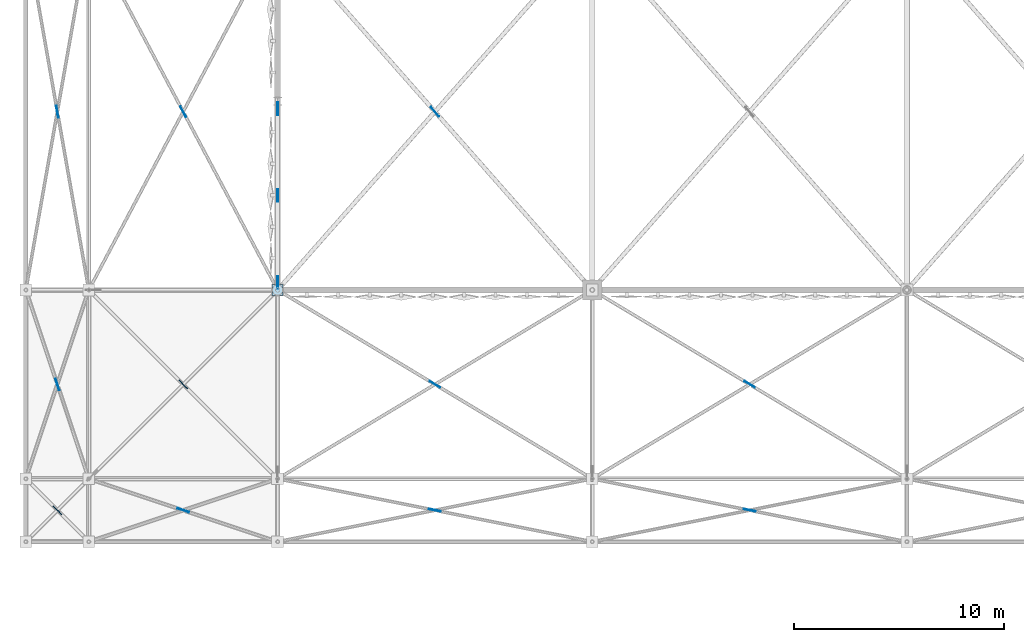
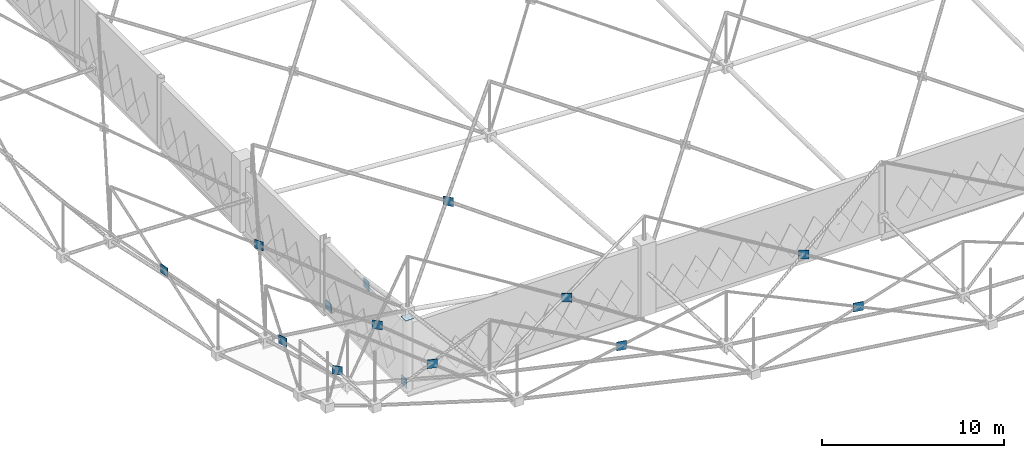
# One storey, part 176 of 224: 15 plates.
"""IFC4 building model written with IfcOpenShell, lengths in metres."""

import ifcopenshell
import ifcopenshell.guid

model = None  # the IFC model being written
_history = None  # IfcOwnerHistory: only IFC2X3 demands one
_inside = {}  # id of a spatial element -> (the spatial element, [elements in it])
_under = {}  # id of a project, library or spatial element -> (it, [spatial elements below it])
_declared = {}  # id of a project -> (the project, [libraries it declares])
_typed = {}  # id of a type object -> (the type object, [elements of that type])
_made_of = {}  # id of a material, layer set ... -> (it, [elements and type objects made of it])


def new_model(schema):
    """Start an empty IFC model of exactly this schema.

    Asked for "IFC4X3", IfcOpenShell would pick the latest addendum, in which some entities
    have other attributes; the version numbers below select the first issue.
    IFC2X3 requires an IfcOwnerHistory on every rooted entity: one is made here for all.
    """
    global model, _history
    if schema == "IFC4X3":
        model = ifcopenshell.file(schema_version=(4, 3, 0, 0))
    else:
        model = ifcopenshell.file(schema=schema)
    _inside.clear()
    _under.clear()
    _declared.clear()
    _typed.clear()
    _made_of.clear()
    _history = None
    if model.schema == "IFC2X3":
        org = make("IfcOrganization", Name="unknown")
        user = make(
            "IfcPersonAndOrganization",
            ThePerson=make("IfcPerson", FamilyName="unknown"),
            TheOrganization=org,
        )
        app = make(
            "IfcApplication",
            ApplicationDeveloper=org,
            Version="unknown",
            ApplicationFullName="unknown",
            ApplicationIdentifier="unknown",
        )
        _history = make(
            "IfcOwnerHistory",
            OwningUser=user,
            OwningApplication=app,
            ChangeAction="ADDED",
            CreationDate=0,
        )
    return model


def make(cls, **values):
    """One entity of the class cls with the attributes given. An attribute that is None is left unset."""
    return model.create_entity(
        cls, **{name: value for name, value in values.items() if value is not None}
    )


def rooted(cls, **values):
    """An entity with a GlobalId (a new one), such as an element, a storey or a relation."""
    return make(cls, GlobalId=ifcopenshell.guid.new(), OwnerHistory=_history, **values)


def si_unit(unit_type, name, prefix=None):
    """IfcSIUnit, for example si_unit("LENGTHUNIT", "METRE", prefix="MILLI")."""
    return make("IfcSIUnit", UnitType=unit_type, Prefix=prefix, Name=name)


def assignment(units):
    """IfcUnitAssignment: the units of a project."""
    return None if units is None else make("IfcUnitAssignment", Units=units)


def point(xyz):
    """IfcCartesianPoint."""
    return None if xyz is None else make("IfcCartesianPoint", Coordinates=xyz)


def direction(xyz):
    """IfcDirection."""
    return None if xyz is None else make("IfcDirection", DirectionRatios=xyz)


def frame(location, z_axis=None, x_axis=None):
    """IfcAxis2Placement3D, a coordinate frame: its origin and axes. An axis left out is left unset."""
    return make(
        "IfcAxis2Placement3D",
        Location=point(location),
        Axis=direction(z_axis),
        RefDirection=direction(x_axis),
    )


def frame_2d(location, x_axis=None):
    """IfcAxis2Placement2D, a coordinate frame in the plane: its origin and x axis."""
    return make(
        "IfcAxis2Placement2D", Location=point(location), RefDirection=direction(x_axis)
    )


def origin():
    """The frame at (0, 0, 0) with its axes left unset."""
    return frame((0.0, 0.0, 0.0))


def origin_2d():
    """The frame at (0, 0) in the plane with its x axis left unset."""
    return frame_2d((0.0, 0.0))


def place(relative_to, where):
    """IfcLocalPlacement: puts the frame where relative to a parent placement (None: the world)."""
    return make(
        "IfcLocalPlacement", PlacementRelTo=relative_to, RelativePlacement=where
    )


def context(
    kind, dimensions, precision=None, world=None, true_north=None, identifier=None
):
    """IfcGeometricRepresentationContext, for example the 3D "Model" context."""
    return make(
        "IfcGeometricRepresentationContext",
        ContextIdentifier=identifier,
        ContextType=kind,
        CoordinateSpaceDimension=dimensions,
        Precision=precision,
        WorldCoordinateSystem=world,
        TrueNorth=true_north,
    )


def subcontext(parent, identifier, kind, view, scale=None):
    """IfcGeometricRepresentationSubContext, for example "Body" below "Model"."""
    return make(
        "IfcGeometricRepresentationSubContext",
        ContextIdentifier=identifier,
        ContextType=kind,
        ParentContext=parent,
        TargetScale=scale,
        TargetView=view,
    )


def project(units=None, contexts=None):
    """IfcProject with its units and contexts."""
    return rooted(
        "IfcProject",
        Name="project",
        RepresentationContexts=contexts,
        UnitsInContext=assignment(units),
    )


def spatial(cls, under=None, at=None, **own):
    """A site, building, storey or space (cls), placed at a placement, below another one or the project."""
    s = rooted(cls, ObjectPlacement=at, **own)
    if under is not None:
        _under.setdefault(under.id(), (under, []))[1].append(s)
    return s


def profile(cls, at=None, kind="AREA", **sizes):
    """A parametric profile (cls). Its sizes go by their IFC names, for example OverallWidth=200.0."""
    return make(cls, ProfileType=kind, Position=at, **sizes)


def rectangle(**sizes):
    """IfcRectangleProfileDef."""
    return profile("IfcRectangleProfileDef", **sizes)


def extrude(swept, where, along, depth):
    """IfcExtrudedAreaSolid: the profile swept, set in the frame where, extruded along a direction by depth."""
    return make(
        "IfcExtrudedAreaSolid",
        SweptArea=swept,
        Position=where,
        ExtrudedDirection=direction(along),
        Depth=depth,
    )


def shape(context_of_items, identifier, shape_type, items):
    """IfcShapeRepresentation: the items that make up one representation, for example the "Body"."""
    return make(
        "IfcShapeRepresentation",
        ContextOfItems=context_of_items,
        RepresentationIdentifier=identifier,
        RepresentationType=shape_type,
        Items=items,
    )


def material(Name=None, Category=None):
    """IfcMaterial."""
    return make("IfcMaterial", Name=Name, Category=Category)


def layer(
    of_material, thickness, ventilated=None, Name=None, Category=None, Priority=None
):
    """IfcMaterialLayer: one layer of a wall or slab, of a material (None: an air gap)."""
    return make(
        "IfcMaterialLayer",
        Material=of_material,
        LayerThickness=thickness,
        IsVentilated=ventilated,
        Name=Name,
        Category=Category,
        Priority=Priority,
    )


def layer_set(layers, Name=None):
    """IfcMaterialLayerSet."""
    return make("IfcMaterialLayerSet", MaterialLayers=layers, LayerSetName=Name)


def made_of(thing, what):
    """Note that an element or type object is made of a material, layer set ...; save() writes the relation."""
    if what is not None:
        _made_of.setdefault(what.id(), (what, []))[1].append(thing)
    return thing


def type_object(cls, material=None, **own):
    """A type object (cls), such as IfcWallType, which elements share."""
    return made_of(rooted(cls, **own), material)


def element(
    cls,
    number,
    at=None,
    inside=None,
    cuts=None,
    type_object=None,
    material=None,
    context=None,
    identifier="Body",
    shape_type=None,
    held_by="IfcProductDefinitionShape",
    body=None,
    shapes=None,
    **own,
):
    """One element of the class cls, such as IfcWall. Its Tag is "e" and its number.

    at: its placement. inside: the storey or other place that contains it. cuts: it is an
    opening in that element (IfcRelVoidsElement). A single representation is given by context,
    identifier, shape_type and body (its items); several are given by shapes. held_by: the class
    of the entity that holds the representations. save() writes the other relations.
    """
    e = rooted(cls, Tag="e%d" % number, ObjectPlacement=at, **own)
    if body is not None:
        shapes = [shape(context, identifier, shape_type, body)]
    if shapes is not None:
        e.Representation = make(held_by, Representations=shapes)
    if inside is not None:
        _inside.setdefault(inside.id(), (inside, []))[1].append(e)
    if cuts is not None:
        rooted(
            "IfcRelVoidsElement", RelatingBuildingElement=cuts, RelatedOpeningElement=e
        )
    if type_object is not None:
        _typed.setdefault(type_object.id(), (type_object, []))[1].append(e)
    return made_of(e, material)


def aggregate(whole, parts):
    """IfcRelAggregates: a whole, such as a stair, and the parts it consists of."""
    return rooted("IfcRelAggregates", RelatingObject=whole, RelatedObjects=parts)


def save(model, path):
    """Write the relations noted so far, then the file.

    IfcRelAggregates (storeys below a building ...), IfcRelContainedInSpatialStructure (elements
    in a storey), IfcRelDefinesByType, IfcRelAssociatesMaterial and IfcRelDeclares: one each for
    every whole, place, type object, material and project.
    """
    for whole, parts in _under.values():
        aggregate(whole, parts)
    for where, things in _inside.values():
        rooted(
            "IfcRelContainedInSpatialStructure",
            RelatedElements=things,
            RelatingStructure=where,
        )
    for kind, things in _typed.values():
        rooted("IfcRelDefinesByType", RelatedObjects=things, RelatingType=kind)
    for what, things in _made_of.values():
        rooted("IfcRelAssociatesMaterial", RelatedObjects=things, RelatingMaterial=what)
    for by, libraries in _declared.values():
        rooted("IfcRelDeclares", RelatingContext=by, RelatedDefinitions=libraries)
    model.write(path)


model = new_model("IFC4")

# Units and contexts
model_context = context("Model", 3, precision=1e-05, world=origin(), true_north=direction((0.0, 1.0)))
body_context = subcontext(model_context, "Body", "Model", "MODEL_VIEW")
ifc_project = project(units=[si_unit("LENGTHUNIT", "METRE"), si_unit("AREAUNIT", "SQUARE_METRE"), si_unit("VOLUMEUNIT", "CUBIC_METRE"), si_unit("PLANEANGLEUNIT", "RADIAN"), si_unit("MASSUNIT", "GRAM", prefix="KILO")], contexts=[model_context])

# Site, building, storey
site_placement = place(None, origin())
site = spatial("IfcSite", under=ifc_project, at=site_placement, CompositionType="ELEMENT")
building_placement = place(site_placement, origin())
building = spatial("IfcBuilding", under=site, at=building_placement, Name="Qamarlyn Nura Convention Centre", CompositionType="ELEMENT")
storey_placement = place(building_placement, frame((0.0, 0.0, 10.800048828125)))
storey = spatial("IfcBuildingStorey", under=building, at=storey_placement, Name="L02", CompositionType="ELEMENT", Elevation=10.800048828125)

# Plates
ifc_material = material(Name="Structural steel ASTM A572 Grade 50", Category="steel")
ifc_layer_1 = layer(ifc_material, 0.02490234375, Name="GP-CAP-25")
ifc_layer_set_1 = layer_set([ifc_layer_1], Name="Structural steel ASTM A572 Grade 50")
plate_type_1 = type_object("IfcPlateType", Name="GP-CAP-25", PredefinedType="USERDEFINED", material=ifc_layer_set_1)
plate_placement = place(storey_placement, frame((0.0, 18.0, 4.800048828125), z_axis=(0.0, 0.0, 1.0), x_axis=(1.0, 0.0, 0.0)))
element("IfcPlate", 1, at=plate_placement, inside=storey, type_object=plate_type_1, Name="L02 column welded end-cap plate 1/C", ObjectType="END CAP PLATE", PredefinedType="USERDEFINED", context=body_context, shape_type="SweptSolid", body=[
    extrude(rectangle(XDim=0.528076171875, YDim=0.528076171875, at=origin_2d()), origin(), (0.0, 0.0, 1.0), 0.02490234375),
])
ifc_layer_2 = layer(ifc_material, 0.035888671875, Name="GP-SN1")
ifc_layer_set_2 = layer_set([ifc_layer_2], Name="Structural steel ASTM A572 Grade 50")
plate_type_2 = type_object("IfcPlateType", Name="GP-SN1", PredefinedType="USERDEFINED", material=ifc_layer_set_2)
for number, where, z_axis, x_axis, name in (
    (2, (-10.5, 7.5, 11.029052734375), (0.0, 0.0, 1.0), (-0.707106781187, 0.707106781187, 0.0), "Space frame X-brace crossing gusset plate 0-0"),
    (3, (-10.5, 13.5, 9.36669921875), (0.0, 0.0, 1.0), (-0.316226957624, 0.948683567514, 0.0), "Space frame X-brace crossing gusset plate 0-1"),
    (4, (-10.5, 26.5, 6.210693359375), (0.0, 0.0, 1.0), (-0.173785681076, 0.984783497553, 0.0), "Space frame X-brace crossing gusset plate 0-2"),
    (5, (-4.5, 7.5, 9.36669921875), (0.0, 0.0, 1.0), (-0.948683567514, 0.316226957624, 0.0), "Space frame X-brace crossing gusset plate 1-0"),
    (6, (-4.5, 13.5, 8.3291015625), (0.0, 0.0, 1.0), (-0.707106781187, 0.707106781187, 0.0), "Space frame X-brace crossing gusset plate 1-1"),
    (7, (-4.5, 26.5, 5.7939453125), (0.0, 0.0, 1.0), (-0.467888167267, 0.88378767978, 0.0), "Space frame X-brace crossing gusset plate 1-2"),
    (8, (7.5, 7.5, 6.380859375), (0.0, 0.0, 1.0), (-0.980580786845, 0.196115579366, 0.0), "Space frame X-brace crossing gusset plate 2-0"),
    (9, (7.5, 13.5, 5.94970703125), (0.0, 0.0, 1.0), (-0.857492535386, 0.514496405972, 0.0), "Space frame X-brace crossing gusset plate 2-1"),
    (10, (7.5, 26.5, 4.521728515625), (0.0, 0.0, 1.0), (-0.661622086957, 0.749837458421, 0.0), "Space frame X-brace crossing gusset plate 2-2"),
    (11, (22.5, 7.5, 3.737548828125), (0.0, 0.0, 1.0), (-0.980580786845, 0.196115579366, 0.0), "Space frame X-brace crossing gusset plate 3-0"),
    (12, (22.5, 13.5, 3.598876953125), (0.0, 0.0, 1.0), (-0.857492535386, 0.514496405972, 0.0), "Space frame X-brace crossing gusset plate 3-1"),
):
    element("IfcPlate", number, at=place(storey_placement, frame(where, z_axis=z_axis, x_axis=x_axis)), inside=storey, type_object=plate_type_2, Name=name, ObjectType="GUSSET PLATE", PredefinedType="USERDEFINED", context=body_context, shape_type="SweptSolid", body=[
        extrude(rectangle(XDim=0.580078125, YDim=0.035888671875, at=origin_2d()), origin(), (0.0, 0.0, 1.0), 0.580078125),
    ])
ifc_layer_3 = layer(ifc_material, 0.044921875, Name="GP-TN1")
ifc_layer_set_3 = layer_set([ifc_layer_3], Name="Structural steel ASTM A572 Grade 50")
plate_type_3 = type_object("IfcPlateType", Name="GP-TN1", PredefinedType="USERDEFINED", material=ifc_layer_set_3)
for number, where, z_axis, x_axis, name in (
    (13, (0.0, 18.360107421875, 0.0), (0.0, 0.0, 1.0), (0.0, 1.0, 0.0), "SCBF chevron brace gusset plate CBF-W1-L02-A"),
    (14, (0.0, 26.639892578125, 0.0), (0.0, 0.0, 1.0), (0.0, 1.0, 0.0), "SCBF chevron brace gusset plate CBF-W1-L02-B"),
    (15, (0.0, 22.5, 4.0), (0.0, 0.0, 1.0), (0.0, 1.0, 0.0), "SCBF chevron brace gusset plate CBF-W1-L02-M"),
):
    element("IfcPlate", number, at=place(storey_placement, frame(where, z_axis=z_axis, x_axis=x_axis)), inside=storey, type_object=plate_type_3, Name=name, ObjectType="GUSSET PLATE", PredefinedType="USERDEFINED", context=body_context, shape_type="SweptSolid", body=[
        extrude(rectangle(XDim=0.60009765625, YDim=0.044921875, at=origin_2d()), origin(), (0.0, 0.0, 1.0), 0.60009765625),
    ])

save(model, "model.ifc")
